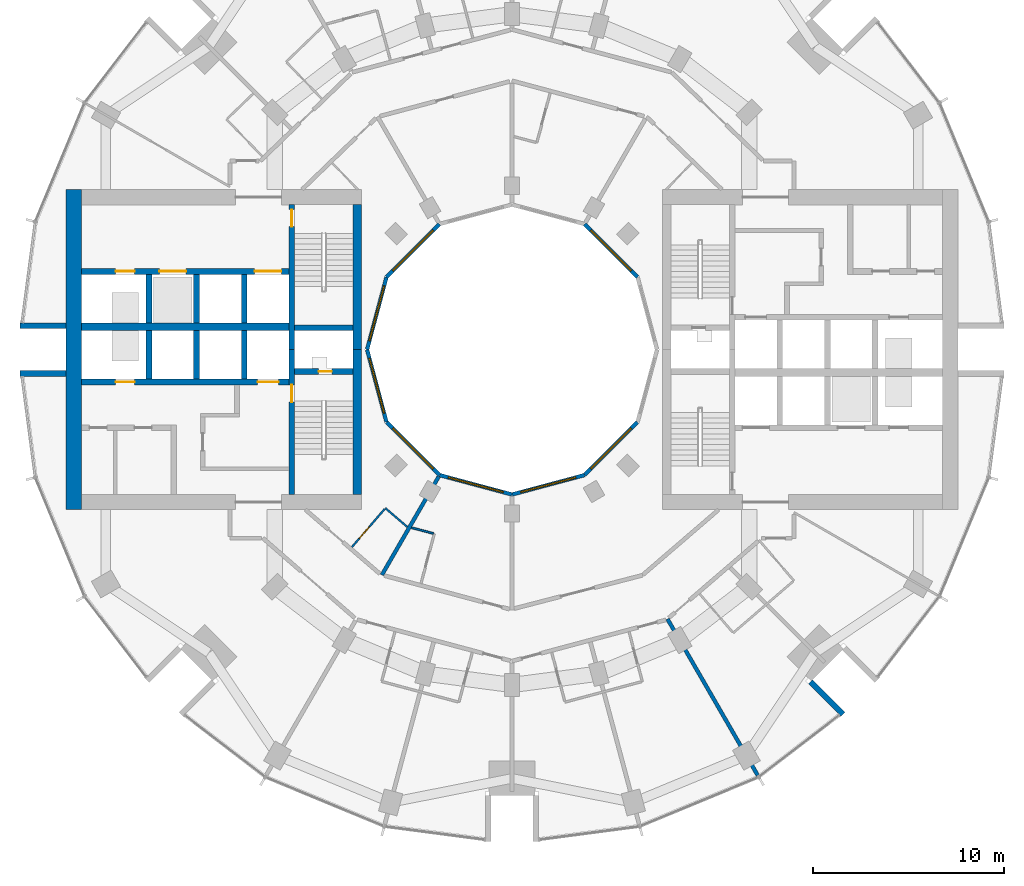
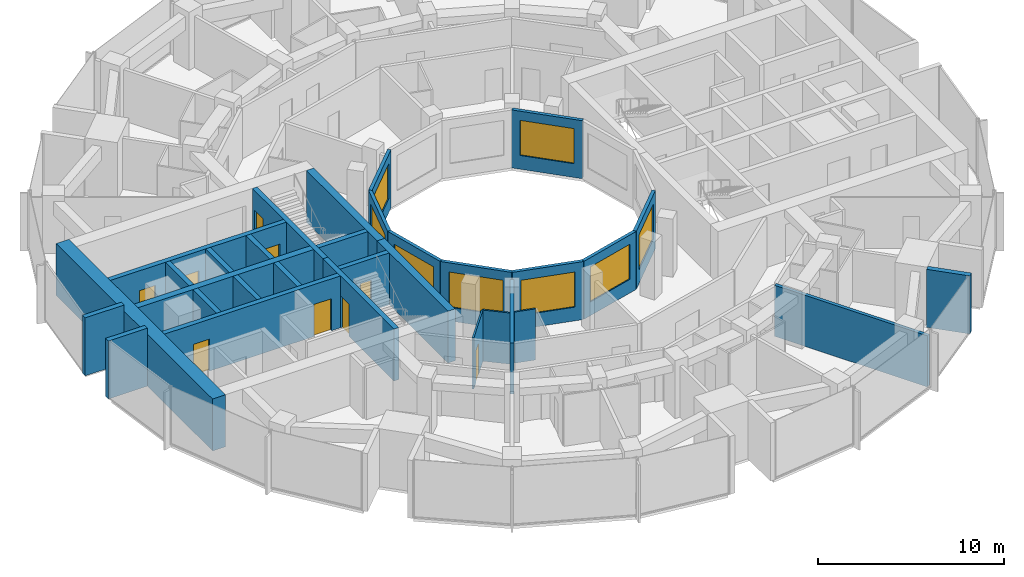
# One storey, part 9 of 15: 32 walls, 9 doors, 8 windows, 17 openings.
"""IFC4 building model written with IfcOpenShell, lengths in metres."""

from ifc_helpers import new_model, si_unit, direction, frame, frame_2d, origin, place, context, subcontext, project, spatial, rectangle, extrude, material, layer, layer_set, type_object, element, fill, save


model = new_model("IFC4")

# Units and contexts
model_context = context("Model", 3, precision=1e-05, world=origin(), true_north=direction((0.0, 1.0)))
body_context = subcontext(model_context, "Body", "Model", "MODEL_VIEW")
ifc_project = project(units=[si_unit("LENGTHUNIT", "METRE"), si_unit("AREAUNIT", "SQUARE_METRE"), si_unit("VOLUMEUNIT", "CUBIC_METRE"), si_unit("PLANEANGLEUNIT", "RADIAN"), si_unit("MASSUNIT", "GRAM", prefix="KILO")], contexts=[model_context])

# Site, building, storey
site_placement = place(None, origin())
site = spatial("IfcSite", under=ifc_project, at=site_placement, CompositionType="ELEMENT")
building_placement = place(site_placement, origin())
building = spatial("IfcBuilding", under=site, at=building_placement, Name="Torre Brocal", CompositionType="ELEMENT")
storey_placement = place(building_placement, frame((0.0, 0.0, 70.60009765625)))
storey = spatial("IfcBuildingStorey", under=building, at=storey_placement, Name="L16", CompositionType="ELEMENT", Elevation=70.60009765625)

# Wall, opening, door
ifc_material_1 = material(Name="Concrete C80", Category="concrete")
ifc_layer_1 = layer(ifc_material_1, 0.300048828125)
ifc_layer_set_1 = layer_set([ifc_layer_1], Name="Concrete C80")
wall_type_1 = type_object("IfcWallType", Name="CORE WALL 300 C80 UNDER 400 SLAB", PredefinedType="SHEAR", material=ifc_layer_set_1)
wall_1_placement = place(storey_placement, frame((68.449951171875, 75.0, 0.0), z_axis=(0.0, 0.0, 1.0), x_axis=(0.0, -1.0, 0.0)))
wall_1 = element("IfcWall", 1, at=wall_1_placement, inside=storey, type_object=wall_type_1, Name="Wall CW300-80-S400", PredefinedType="SHEAR", context=body_context, shape_type="SweptSolid", body=[
    extrude(rectangle(XDim=7.60009765625, YDim=0.300048828125, at=frame_2d((3.800048828125, 0.0))), origin(), (0.0, 0.0, 1.0), 3.39990234375),
])
opening_1_placement = place(wall_1_placement, frame((1.85009765625, 0.0, 0.0)))
opening_1 = element("IfcOpeningElement", 2, at=opening_1_placement, cuts=wall_1, Name="Opening W-D02", PredefinedType="OPENING", context=body_context, shape_type="SweptSolid", body=[
    extrude(rectangle(XDim=0.89990234375, YDim=2.10009765625, at=frame_2d((0.449951171875, 1.050048828125))), frame((0.0, 0.159912109375, 0.0), z_axis=(0.0, -1.0, 0.0), x_axis=(1.0, 0.0, 0.0)), (0.0, 0.0, 1.0), 0.320068359375),
])
ifc_material_2 = material(Name="Steel A653", Category="steel")
door_type_1 = type_object("IfcDoorType", Name="STAIR DOOR FD120 900X2100", OperationType="SINGLE_SWING_RIGHT", PredefinedType="DOOR", material=ifc_material_2)
door_1_placement = place(opening_1_placement, origin())
door_1 = element("IfcDoor", 3, at=door_1_placement, inside=storey, type_object=door_type_1, Name="Door W-D02", OperationType="SINGLE_SWING_LEFT", OverallHeight=2.10009765625, OverallWidth=0.89990234375, PredefinedType="DOOR", context=body_context, shape_type="SweptSolid", body=[
    extrude(rectangle(XDim=0.89990234375, YDim=2.10009765625, at=frame_2d((0.449951171875, 1.050048828125))), frame((0.0, 0.02490234375, 0.0), z_axis=(0.0, -1.0, 0.0), x_axis=(1.0, 0.0, 0.0)), (0.0, 0.0, 1.0), 0.050048828125),
])
fill(opening_1, door_1)

wall_2_placement = place(storey_placement, frame((68.449951171875, 82.60009765625, 0.0), z_axis=(0.0, 0.0, 1.0), x_axis=(0.0, -1.0, 0.0)))
wall_2 = element("IfcWall", 4, at=wall_2_placement, inside=storey, type_object=wall_type_1, Name="Wall CW300-80-S400", PredefinedType="SHEAR", context=body_context, shape_type="SweptSolid", body=[
    extrude(rectangle(XDim=7.60009765625, YDim=0.300048828125, at=frame_2d((3.800048828125, 0.0))), origin(), (0.0, 0.0, 1.0), 3.39990234375),
])
opening_2_placement = place(wall_2_placement, frame((0.25, 0.0, 0.0)))
opening_2 = element("IfcOpeningElement", 5, at=opening_2_placement, cuts=wall_2, Name="Opening W-D03", PredefinedType="OPENING", context=body_context, shape_type="SweptSolid", body=[
    extrude(rectangle(XDim=0.89990234375, YDim=2.10009765625, at=frame_2d((0.449951171875, 1.050048828125))), frame((0.0, 0.159912109375, 0.0), z_axis=(0.0, -1.0, 0.0), x_axis=(1.0, 0.0, 0.0)), (0.0, 0.0, 1.0), 0.320068359375),
])
door_2_placement = place(opening_2_placement, origin())
door_2 = element("IfcDoor", 6, at=door_2_placement, inside=storey, type_object=door_type_1, Name="Door W-D03", OperationType="SINGLE_SWING_LEFT", OverallHeight=2.10009765625, OverallWidth=0.89990234375, PredefinedType="DOOR", context=body_context, shape_type="SweptSolid", body=[
    extrude(rectangle(XDim=0.89990234375, YDim=2.10009765625, at=frame_2d((0.449951171875, 1.050048828125))), frame((0.0, 0.02490234375, 0.0), z_axis=(0.0, -1.0, 0.0), x_axis=(1.0, 0.0, 0.0)), (0.0, 0.0, 1.0), 0.050048828125),
])
fill(opening_2, door_2)

wall_3_placement = place(storey_placement, frame((71.64990234375, 73.85009765625, 0.0), z_axis=(0.0, 0.0, 1.0), x_axis=(-1.0, 0.0, 0.0)))
wall_3 = element("IfcWall", 7, at=wall_3_placement, inside=storey, type_object=wall_type_1, Name="Wall CW300-80-S400", PredefinedType="SHEAR", context=body_context, shape_type="SweptSolid", body=[
    extrude(rectangle(XDim=3.0498046875, YDim=0.300048828125, at=frame_2d((1.52490234375, 0.0))), origin(), (0.0, 0.0, 1.0), 3.39990234375),
])
opening_3_placement = place(wall_3_placement, frame((1.10009765625, 0.0, 0.0)))
opening_3 = element("IfcOpeningElement", 8, at=opening_3_placement, cuts=wall_3, Name="Opening W-D01", PredefinedType="OPENING", context=body_context, shape_type="SweptSolid", body=[
    extrude(rectangle(XDim=0.699951171875, YDim=2.0, at=frame_2d((0.35009765625, 1.0))), frame((0.0, 0.159912109375, 0.0), z_axis=(0.0, -1.0, 0.0), x_axis=(1.0, 0.0, 0.0)), (0.0, 0.0, 1.0), 0.320068359375),
])
ifc_material_3 = material(Name="Steel A653", Category="steel")
door_type_2 = type_object("IfcDoorType", Name="RISER DOOR FD120 700X2000", OperationType="SINGLE_SWING_LEFT", PredefinedType="DOOR", material=ifc_material_3)
door_3_placement = place(opening_3_placement, frame((0.699951171875, 0.0, 0.0), z_axis=(0.0, 0.0, 1.0), x_axis=(-1.0, 0.0, 0.0)))
door_3 = element("IfcDoor", 9, at=door_3_placement, inside=storey, type_object=door_type_2, Name="Door W-D01", OperationType="SINGLE_SWING_RIGHT", OverallHeight=2.0, OverallWidth=0.699951171875, PredefinedType="DOOR", context=body_context, shape_type="SweptSolid", body=[
    extrude(rectangle(XDim=0.699951171875, YDim=2.0, at=frame_2d((0.35009765625, 1.0))), frame((0.0, 0.02490234375, 0.0), z_axis=(0.0, -1.0, 0.0), x_axis=(1.0, 0.0, 0.0)), (0.0, 0.0, 1.0), 0.050048828125),
])
fill(opening_3, door_3)

# Wall
wall_4_placement = place(storey_placement, frame((71.64990234375, 76.14990234375, 0.0), z_axis=(0.0, 0.0, 1.0), x_axis=(-1.0, 0.0, 0.0)))
element("IfcWall", 10, at=wall_4_placement, inside=storey, type_object=wall_type_1, Name="Wall CW300-80-S400", PredefinedType="SHEAR", context=body_context, shape_type="SweptSolid", body=[
    extrude(rectangle(XDim=3.0498046875, YDim=0.300048828125, at=frame_2d((1.52490234375, 0.0))), origin(), (0.0, 0.0, 1.0), 3.39990234375),
])

# Wall, openings, doors
wall_5_placement = place(storey_placement, frame((68.300048828125, 73.300048828125, 0.0), z_axis=(0.0, 0.0, 1.0), x_axis=(-1.0, 0.0, 0.0)))
wall_5 = element("IfcWall", 11, at=wall_5_placement, inside=storey, type_object=wall_type_1, Name="Wall CW300-80-S400", PredefinedType="SHEAR", context=body_context, shape_type="SweptSolid", body=[
    extrude(rectangle(XDim=10.900146484375, YDim=0.300048828125, at=frame_2d((5.4501953125, 0.0))), origin(), (0.0, 0.0, 1.0), 3.39990234375),
])
opening_4_placement = place(wall_5_placement, frame((0.550048828125, 0.0, 0.0)))
opening_4 = element("IfcOpeningElement", 12, at=opening_4_placement, cuts=wall_5, Name="Opening LD", PredefinedType="OPENING", context=body_context, shape_type="SweptSolid", body=[
    extrude(rectangle(XDim=1.10009765625, YDim=2.10009765625, at=frame_2d((0.550048828125, 1.050048828125))), frame((0.0, 0.159912109375, 0.0), z_axis=(0.0, -1.0, 0.0), x_axis=(1.0, 0.0, 0.0)), (0.0, 0.0, 1.0), 0.320068359375),
])
opening_5_placement = place(wall_5_placement, frame((8.10009765625, 0.0, 0.0)))
opening_5 = element("IfcOpeningElement", 13, at=opening_5_placement, cuts=wall_5, Name="Opening LD10", PredefinedType="OPENING", context=body_context, shape_type="SweptSolid", body=[
    extrude(rectangle(XDim=1.0, YDim=2.10009765625, at=frame_2d((0.5, 1.050048828125))), frame((0.0, 0.159912109375, 0.0), z_axis=(0.0, -1.0, 0.0), x_axis=(1.0, 0.0, 0.0)), (0.0, 0.0, 1.0), 0.320068359375),
])
ifc_material_4 = material(Name="Stainless steel AISI 316", Category="steel")
door_type_3 = type_object("IfcDoorType", Name="LIFT LANDING DOOR 1000X2100", OperationType="DOUBLE_DOOR_SLIDING", PredefinedType="DOOR", material=ifc_material_4)
door_4_placement = place(opening_5_placement, origin())
door_4 = element("IfcDoor", 14, at=door_4_placement, inside=storey, type_object=door_type_3, Name="Door LD10", OperationType="DOUBLE_DOOR_SLIDING", OverallHeight=2.10009765625, OverallWidth=1.0, PredefinedType="DOOR", context=body_context, shape_type="SweptSolid", body=[
    extrude(rectangle(XDim=1.0, YDim=2.10009765625, at=frame_2d((0.5, 1.050048828125))), frame((0.0, 0.02490234375, 0.0), z_axis=(0.0, -1.0, 0.0), x_axis=(1.0, 0.0, 0.0)), (0.0, 0.0, 1.0), 0.050048828125),
])
fill(opening_5, door_4)
ifc_material_5 = material(Name="Stainless steel AISI 316", Category="steel")
door_type_4 = type_object("IfcDoorType", Name="LIFT LANDING DOOR 1100X2100", OperationType="DOUBLE_DOOR_SLIDING", PredefinedType="DOOR", material=ifc_material_5)
door_5_placement = place(opening_4_placement, origin())
door_5 = element("IfcDoor", 15, at=door_5_placement, inside=storey, type_object=door_type_4, Name="Door LD", OperationType="DOUBLE_DOOR_SLIDING", OverallHeight=2.10009765625, OverallWidth=1.10009765625, PredefinedType="DOOR", context=body_context, shape_type="SweptSolid", body=[
    extrude(rectangle(XDim=1.10009765625, YDim=2.10009765625, at=frame_2d((0.550048828125, 1.050048828125))), frame((0.0, 0.02490234375, 0.0), z_axis=(0.0, -1.0, 0.0), x_axis=(1.0, 0.0, 0.0)), (0.0, 0.0, 1.0), 0.050048828125),
])
fill(opening_4, door_5)

wall_6_placement = place(storey_placement, frame((68.300048828125, 79.10009765625, 0.0), z_axis=(0.0, 0.0, 1.0), x_axis=(-1.0, 0.0, 0.0)))
wall_6 = element("IfcWall", 16, at=wall_6_placement, inside=storey, type_object=wall_type_1, Name="Wall CW300-80-S400", PredefinedType="SHEAR", context=body_context, shape_type="SweptSolid", body=[
    extrude(rectangle(XDim=10.900146484375, YDim=0.300048828125, at=frame_2d((5.4501953125, 0.0))), origin(), (0.0, 0.0, 1.0), 3.39990234375),
])
opening_6_placement = place(wall_6_placement, frame((0.39990234375, 0.0, 0.0)))
opening_6 = element("IfcOpeningElement", 17, at=opening_6_placement, cuts=wall_6, Name="Opening LD14", PredefinedType="OPENING", context=body_context, shape_type="SweptSolid", body=[
    extrude(rectangle(XDim=1.39990234375, YDim=2.10009765625, at=frame_2d((0.699951171875, 1.050048828125))), frame((0.0, 0.159912109375, 0.0), z_axis=(0.0, -1.0, 0.0), x_axis=(1.0, 0.0, 0.0)), (0.0, 0.0, 1.0), 0.320068359375),
])
opening_7_placement = place(wall_6_placement, frame((5.39990234375, 0.0, 0.0)))
opening_7 = element("IfcOpeningElement", 18, at=opening_7_placement, cuts=wall_6, Name="Opening LD14", PredefinedType="OPENING", context=body_context, shape_type="SweptSolid", body=[
    extrude(rectangle(XDim=1.39990234375, YDim=2.10009765625, at=frame_2d((0.699951171875, 1.050048828125))), frame((0.0, 0.159912109375, 0.0), z_axis=(0.0, -1.0, 0.0), x_axis=(1.0, 0.0, 0.0)), (0.0, 0.0, 1.0), 0.320068359375),
])
opening_8_placement = place(wall_6_placement, frame((8.10009765625, 0.0, 0.0)))
opening_8 = element("IfcOpeningElement", 19, at=opening_8_placement, cuts=wall_6, Name="Opening LD10", PredefinedType="OPENING", context=body_context, shape_type="SweptSolid", body=[
    extrude(rectangle(XDim=1.0, YDim=2.10009765625, at=frame_2d((0.5, 1.050048828125))), frame((0.0, 0.159912109375, 0.0), z_axis=(0.0, -1.0, 0.0), x_axis=(1.0, 0.0, 0.0)), (0.0, 0.0, 1.0), 0.320068359375),
])
door_6_placement = place(opening_8_placement, origin())
door_6 = element("IfcDoor", 20, at=door_6_placement, inside=storey, type_object=door_type_3, Name="Door LD10", OperationType="DOUBLE_DOOR_SLIDING", OverallHeight=2.10009765625, OverallWidth=1.0, PredefinedType="DOOR", context=body_context, shape_type="SweptSolid", body=[
    extrude(rectangle(XDim=1.0, YDim=2.10009765625, at=frame_2d((0.5, 1.050048828125))), frame((0.0, 0.02490234375, 0.0), z_axis=(0.0, -1.0, 0.0), x_axis=(1.0, 0.0, 0.0)), (0.0, 0.0, 1.0), 0.050048828125),
])
fill(opening_8, door_6)
ifc_material_6 = material(Name="Stainless steel AISI 316", Category="steel")
door_type_5 = type_object("IfcDoorType", Name="LIFT LANDING DOOR 1400X2100", OperationType="DOUBLE_DOOR_SLIDING", PredefinedType="DOOR", material=ifc_material_6)
door_7_placement = place(opening_6_placement, origin())
door_7 = element("IfcDoor", 21, at=door_7_placement, inside=storey, type_object=door_type_5, Name="Door LD14", OperationType="DOUBLE_DOOR_SLIDING", OverallHeight=2.10009765625, OverallWidth=1.39990234375, PredefinedType="DOOR", context=body_context, shape_type="SweptSolid", body=[
    extrude(rectangle(XDim=1.39990234375, YDim=2.10009765625, at=frame_2d((0.699951171875, 1.050048828125))), frame((0.0, 0.02490234375, 0.0), z_axis=(0.0, -1.0, 0.0), x_axis=(1.0, 0.0, 0.0)), (0.0, 0.0, 1.0), 0.050048828125),
])
fill(opening_6, door_7)
door_8_placement = place(opening_7_placement, origin())
door_8 = element("IfcDoor", 22, at=door_8_placement, inside=storey, type_object=door_type_5, Name="Door LD14", OperationType="DOUBLE_DOOR_SLIDING", OverallHeight=2.10009765625, OverallWidth=1.39990234375, PredefinedType="DOOR", context=body_context, shape_type="SweptSolid", body=[
    extrude(rectangle(XDim=1.39990234375, YDim=2.10009765625, at=frame_2d((0.699951171875, 1.050048828125))), frame((0.0, 0.02490234375, 0.0), z_axis=(0.0, -1.0, 0.0), x_axis=(1.0, 0.0, 0.0)), (0.0, 0.0, 1.0), 0.050048828125),
])
fill(opening_7, door_8)

# Walls
for number, where, z_axis, x_axis, name in (
    (23, (65.949951171875, 76.0, 0.0), (0.0, 0.0, 1.0), (0.0, -1.0, 0.0), "Wall CW300-80-S400"),
    (24, (63.449951171875, 76.0, 0.0), (0.0, 0.0, 1.0), (0.0, -1.0, 0.0), "Wall CW300-80-S400"),
    (25, (60.949951171875, 76.0, 0.0), (0.0, 0.0, 1.0), (0.0, -1.0, 0.0), "Wall CW300-80-S400"),
    (26, (65.949951171875, 78.949951171875, 0.0), (0.0, 0.0, 1.0), (0.0, -1.0, 0.0), "Wall CW300-80-S400"),
    (27, (63.449951171875, 78.949951171875, 0.0), (0.0, 0.0, 1.0), (0.0, -1.0, 0.0), "Wall CW300-80-S400"),
    (28, (60.949951171875, 78.949951171875, 0.0), (0.0, 0.0, 1.0), (0.0, -1.0, 0.0), "Wall CW300-80-S400"),
):
    element("IfcWall", number, at=place(storey_placement, frame(where, z_axis=z_axis, x_axis=x_axis)), inside=storey, type_object=wall_type_1, Name=name, PredefinedType="SHEAR", context=body_context, shape_type="SweptSolid", body=[
        extrude(rectangle(XDim=2.550048828125, YDim=0.300048828125, at=frame_2d((1.27490234375, 0.0))), origin(), (0.0, 0.0, 1.0), 3.39990234375),
    ])
ifc_material_7 = material(Name="Concrete C80", Category="concrete")
ifc_layer_2 = layer(ifc_material_7, 0.39990234375)
ifc_layer_set_2 = layer_set([ifc_layer_2], Name="Concrete C80")
wall_type_2 = type_object("IfcWallType", Name="CORE WALL 400 C80 UNDER 400 SLAB", PredefinedType="SHEAR", material=ifc_layer_set_2)
wall_7_placement = place(storey_placement, frame((68.300048828125, 76.199951171875, 0.0), z_axis=(0.0, 0.0, 1.0), x_axis=(-1.0, 0.0, 0.0)))
element("IfcWall", 29, at=wall_7_placement, inside=storey, type_object=wall_type_2, Name="Wall CW400-80-S400", PredefinedType="SHEAR", context=body_context, shape_type="SweptSolid", body=[
    extrude(rectangle(XDim=10.900146484375, YDim=0.39990234375, at=frame_2d((5.4501953125, 0.0))), origin(), (0.0, 0.0, 1.0), 3.39990234375),
])
ifc_material_8 = material(Name="Concrete C80", Category="concrete")
ifc_layer_3 = layer(ifc_material_8, 0.449951171875)
ifc_layer_set_3 = layer_set([ifc_layer_3], Name="Concrete C80")
wall_type_3 = type_object("IfcWallType", Name="CORE WALL 450 C80 UNDER 400 SLAB", PredefinedType="SHEAR", material=ifc_layer_set_3)
for number, where, z_axis, x_axis, name in (
    (30, (71.875, 75.0, 0.0), (0.0, 0.0, 1.0), (0.0, -1.0, 0.0), "Wall CW450-80-S400"),
    (31, (71.875, 82.60009765625, 0.0), (0.0, 0.0, 1.0), (0.0, -1.0, 0.0), "Wall CW450-80-S400"),
):
    element("IfcWall", number, at=place(storey_placement, frame(where, z_axis=z_axis, x_axis=x_axis)), inside=storey, type_object=wall_type_3, Name=name, PredefinedType="SHEAR", context=body_context, shape_type="SweptSolid", body=[
        extrude(rectangle(XDim=7.60009765625, YDim=0.449951171875, at=frame_2d((3.800048828125, 0.0))), origin(), (0.0, 0.0, 1.0), 3.39990234375),
    ])
ifc_material_9 = material(Name="Concrete C80", Category="concrete")
ifc_layer_4 = layer(ifc_material_9, 0.800048828125)
ifc_layer_set_4 = layer_set([ifc_layer_4], Name="Concrete C80")
wall_type_4 = type_object("IfcWallType", Name="CORE WALL 800 C80 UNDER 400 SLAB", PredefinedType="SHEAR", material=ifc_layer_set_4)
wall_8_placement = place(storey_placement, frame((57.0, 83.39990234375, 0.0), z_axis=(0.0, 0.0, 1.0), x_axis=(0.0, -1.0, 0.0)))
element("IfcWall", 32, at=wall_8_placement, inside=storey, type_object=wall_type_4, Name="Wall CW800-80-S400", PredefinedType="SHEAR", context=body_context, shape_type="SweptSolid", body=[
    extrude(rectangle(XDim=16.7998046875, YDim=0.800048828125, at=frame_2d((8.39990234375, 0.0))), origin(), (0.0, 0.0, 1.0), 3.39990234375),
])
ifc_material_10 = material(Name="Concrete C80", Category="concrete")
ifc_layer_5 = layer(ifc_material_10, 0.300048828125)
ifc_layer_set_5 = layer_set([ifc_layer_5], Name="Concrete C80")
wall_type_5 = type_object("IfcWallType", Name="NOTCH RETURN WALL 300 C80", PredefinedType="NOTDEFINED", material=ifc_layer_set_5)
for number, where, z_axis, x_axis, name in (
    (33, (56.60009765625, 76.25, 0.0), (0.0, 0.0, 1.0), (-1.0, 0.0, 0.0), "NOTCH RETURN WALL"),
    (34, (56.60009765625, 73.75, 0.0), (0.0, 0.0, 1.0), (-1.0, 0.0, 0.0), "NOTCH RETURN WALL"),
    (35, (95.662353515625, 57.56982421875, 0.0), (0.0, 0.0, 1.0), (0.707106781187, -0.707106781187, 0.0), "NOTCH RETURN WALL"),
):
    element("IfcWall", number, at=place(storey_placement, frame(where, z_axis=z_axis, x_axis=x_axis)), inside=storey, type_object=wall_type_5, Name=name, PredefinedType="NOTDEFINED", context=body_context, shape_type="SweptSolid", body=[
        extrude(rectangle(XDim=2.415771484375, YDim=0.300048828125, at=frame_2d((1.2080078125, 0.0))), origin(), (0.0, 0.0, 1.0), 3.7998046875),
    ])

# Wall, opening, door
ifc_material_11 = material(Name="Gypsum board", Category="Gypsum")
ifc_layer_6 = layer(ifc_material_11, 0.10009765625)
ifc_layer_set_6 = layer_set([ifc_layer_6], Name="Gypsum board")
wall_type_6 = type_object("IfcWallType", Name="PARTITION 100", PredefinedType="PARTITIONING", material=ifc_layer_set_6)
wall_9_placement = place(storey_placement, frame((71.59619140625, 64.634765625, 0.0), z_axis=(0.0, 0.0, 1.0), x_axis=(0.652285007511, 0.757973791748, 0.0)))
wall_9 = element("IfcWall", 36, at=wall_9_placement, inside=storey, type_object=wall_type_6, Name="BATHROOM WALL", PredefinedType="PARTITIONING", context=body_context, shape_type="SweptSolid", body=[
    extrude(rectangle(XDim=2.649658203125, YDim=0.10009765625, at=frame_2d((1.32470703125, 0.0))), origin(), (0.0, 0.0, 1.0), 3.349853515625),
])
opening_9_placement = place(wall_9_placement, frame((0.599609375, 0.0, 0.0)))
opening_9 = element("IfcOpeningElement", 37, at=opening_9_placement, cuts=wall_9, Name="Opening H04-D38", PredefinedType="OPENING", context=body_context, shape_type="SweptSolid", body=[
    extrude(rectangle(XDim=0.800048828125, YDim=2.10009765625, at=frame_2d((0.39990234375, 1.050048828125))), frame((0.0, 0.06005859375, 0.0), z_axis=(0.0, -1.0, 0.0), x_axis=(1.0, 0.0, 0.0)), (0.0, 0.0, 1.0), 0.1201171875),
])
ifc_material_12 = material(Name="Timber", Category="wood")
door_type_6 = type_object("IfcDoorType", Name="BATHROOM DOOR 800X2100", OperationType="SINGLE_SWING_LEFT", PredefinedType="DOOR", material=ifc_material_12)
door_9_placement = place(opening_9_placement, frame((0.800048828125, 0.0, 0.0), z_axis=(0.0, 0.0, 1.0), x_axis=(-1.0, 0.0, 0.0)))
door_9 = element("IfcDoor", 38, at=door_9_placement, inside=storey, type_object=door_type_6, Name="H04-D38", OperationType="SINGLE_SWING_RIGHT", OverallHeight=2.10009765625, OverallWidth=0.800048828125, PredefinedType="DOOR", context=body_context, shape_type="SweptSolid", body=[
    extrude(rectangle(XDim=0.800048828125, YDim=2.10009765625, at=frame_2d((0.39990234375, 1.050048828125))), frame((0.0, 0.02490234375, 0.0), z_axis=(0.0, -1.0, 0.0), x_axis=(1.0, 0.0, 0.0)), (0.0, 0.0, 1.0), 0.050048828125),
])
fill(opening_9, door_9)

# Walls
wall_10_placement = place(storey_placement, frame((73.35693359375, 66.680908203125, 0.0), z_axis=(0.0, 0.0, 1.0), x_axis=(0.758263469747, -0.651948242154, 0.0)))
element("IfcWall", 39, at=wall_10_placement, inside=storey, type_object=wall_type_6, Name="BATHROOM WALL", PredefinedType="PARTITIONING", context=body_context, shape_type="SweptSolid", body=[
    extrude(rectangle(XDim=1.510986328125, YDim=0.10009765625, at=frame_2d((0.75537109375, 0.0))), origin(), (0.0, 0.0, 1.0), 3.349853515625),
])
wall_11_placement = place(storey_placement, frame((74.739013671875, 65.655029296875, 0.0), z_axis=(0.0, 0.0, 1.0), x_axis=(0.96591107063, -0.258874107695, 0.0)))
element("IfcWall", 40, at=wall_11_placement, inside=storey, type_object=wall_type_6, Name="BATHROOM WALL", PredefinedType="PARTITIONING", context=body_context, shape_type="SweptSolid", body=[
    extrude(rectangle(XDim=1.178955078125, YDim=0.10009765625, at=frame_2d((0.58935546875, 0.0))), origin(), (0.0, 0.0, 1.0), 3.349853515625),
])
ifc_material_13 = material(Name="Gypsum board", Category="Gypsum")
ifc_layer_7 = layer(ifc_material_13, 0.199951171875)
ifc_layer_set_7 = layer_set([ifc_layer_7], Name="Gypsum board")
wall_type_7 = type_object("IfcWallType", Name="PARTITION 200 EI60", PredefinedType="PARTITIONING", material=ifc_layer_set_7)
wall_12_placement = place(storey_placement, frame((73.173583984375, 63.17578125, 0.0), z_axis=(0.0, 0.0, 1.0), x_axis=(0.500257106344, 0.865876912472, 0.0)))
element("IfcWall", 41, at=wall_12_placement, inside=storey, type_object=wall_type_7, Name="BATHROOM WALL", PredefinedType="PARTITIONING", context=body_context, shape_type="SweptSolid", body=[
    extrude(rectangle(XDim=5.954833984375, YDim=0.199951171875, at=frame_2d((2.9775390625, 0.0))), origin(), (0.0, 0.0, 1.0), 3.349853515625),
])
wall_13_placement = place(storey_placement, frame((88.1591796875, 60.86279296875, 0.0), z_axis=(0.0, 0.0, 1.0), x_axis=(0.499935840196, -0.866062443296, 0.0)))
element("IfcWall", 42, at=wall_13_placement, inside=storey, type_object=wall_type_7, Name="PARTY PARTITION", PredefinedType="PARTITIONING", context=body_context, shape_type="SweptSolid", body=[
    extrude(rectangle(XDim=9.474853515625, YDim=0.199951171875, at=frame_2d((4.7373046875, 0.0))), origin(), (0.0, 0.0, 1.0), 3.349853515625),
])

# Wall, opening, window
ifc_material_14 = material(Name="Concrete C40", Category="concrete")
ifc_layer_8 = layer(ifc_material_14, 0.199951171875)
ifc_layer_set_8 = layer_set([ifc_layer_8], Name="Concrete C40")
wall_type_8 = type_object("IfcWallType", Name="WELL FACADE WALL 200", PredefinedType="NOTDEFINED", material=ifc_layer_set_8)
wall_14_placement = place(storey_placement, frame((86.5849609375, 78.8017578125, 0.0), z_axis=(0.0, 0.0, 1.0), x_axis=(-0.707106781187, 0.707106781187, 0.0)))
wall_14 = element("IfcWall", 43, at=wall_14_placement, inside=storey, type_object=wall_type_8, Name="WELL FACADE WALL", PredefinedType="NOTDEFINED", context=body_context, shape_type="SweptSolid", body=[
    extrude(rectangle(XDim=3.93603515625, YDim=0.199951171875, at=frame_2d((1.968017578125, 0.0))), origin(), (0.0, 0.0, 1.0), 3.7998046875),
])
opening_10_placement = place(wall_14_placement, frame((0.468017578125, 0.0, 0.89990234375)))
opening_10 = element("IfcOpeningElement", 44, at=opening_10_placement, cuts=wall_14, Name="Opening W1", PredefinedType="OPENING", context=body_context, shape_type="SweptSolid", body=[
    extrude(rectangle(XDim=3.0, YDim=2.300048828125, at=frame_2d((1.5, 1.14990234375))), frame((0.0, 0.10986328125, 0.0), z_axis=(0.0, -1.0, 0.0), x_axis=(1.0, 0.0, 0.0)), (0.0, 0.0, 1.0), 0.219970703125),
])
ifc_material_15 = material(Name="Aluminium and glass", Category="aluminium")
window_type = type_object("IfcWindowType", Name="WELL WINDOW 3000X2300", PartitioningType="SINGLE_PANEL", PredefinedType="WINDOW", material=ifc_material_15)
window_1_placement = place(opening_10_placement, origin())
window_1 = element("IfcWindow", 45, at=window_1_placement, inside=storey, type_object=window_type, Name="WELL WINDOW 3000X2300", OverallHeight=2.300048828125, OverallWidth=3.0, PartitioningType="SINGLE_PANEL", PredefinedType="WINDOW", context=body_context, shape_type="SweptSolid", body=[
    extrude(rectangle(XDim=3.0, YDim=2.300048828125, at=frame_2d((1.5, 1.14990234375))), frame((0.0, 0.030029296875, 0.0), z_axis=(0.0, -1.0, 0.0), x_axis=(1.0, 0.0, 0.0)), (0.0, 0.0, 1.0), 0.06005859375),
])
fill(opening_10, window_1)

wall_15_placement = place(storey_placement, frame((76.1982421875, 81.5849609375, 0.0), z_axis=(0.0, 0.0, 1.0), x_axis=(-0.707106781187, -0.707106781187, 0.0)))
wall_15 = element("IfcWall", 46, at=wall_15_placement, inside=storey, type_object=wall_type_8, Name="WELL FACADE WALL", PredefinedType="NOTDEFINED", context=body_context, shape_type="SweptSolid", body=[
    extrude(rectangle(XDim=3.93603515625, YDim=0.199951171875, at=frame_2d((1.968017578125, 0.0))), origin(), (0.0, 0.0, 1.0), 3.7998046875),
])
opening_11_placement = place(wall_15_placement, frame((0.468017578125, 0.0, 0.89990234375)))
opening_11 = element("IfcOpeningElement", 47, at=opening_11_placement, cuts=wall_15, Name="Opening W1", PredefinedType="OPENING", context=body_context, shape_type="SweptSolid", body=[
    extrude(rectangle(XDim=3.0, YDim=2.300048828125, at=frame_2d((1.5, 1.14990234375))), frame((0.0, 0.10986328125, 0.0), z_axis=(0.0, -1.0, 0.0), x_axis=(1.0, 0.0, 0.0)), (0.0, 0.0, 1.0), 0.219970703125),
])
window_2_placement = place(opening_11_placement, origin())
window_2 = element("IfcWindow", 48, at=window_2_placement, inside=storey, type_object=window_type, Name="WELL WINDOW 3000X2300", OverallHeight=2.300048828125, OverallWidth=3.0, PartitioningType="SINGLE_PANEL", PredefinedType="WINDOW", context=body_context, shape_type="SweptSolid", body=[
    extrude(rectangle(XDim=3.0, YDim=2.300048828125, at=frame_2d((1.5, 1.14990234375))), frame((0.0, 0.030029296875, 0.0), z_axis=(0.0, -1.0, 0.0), x_axis=(1.0, 0.0, 0.0)), (0.0, 0.0, 1.0), 0.06005859375),
])
fill(opening_11, window_2)

wall_16_placement = place(storey_placement, frame((73.4150390625, 78.8017578125, 0.0), z_axis=(0.0, 0.0, 1.0), x_axis=(-0.258789828301, -0.965933654434, 0.0)))
wall_16 = element("IfcWall", 49, at=wall_16_placement, inside=storey, type_object=wall_type_8, Name="WELL FACADE WALL", PredefinedType="NOTDEFINED", context=body_context, shape_type="SweptSolid", body=[
    extrude(rectangle(XDim=3.935791015625, YDim=0.199951171875, at=frame_2d((1.9677734375, 0.0))), origin(), (0.0, 0.0, 1.0), 3.7998046875),
])
opening_12_placement = place(wall_16_placement, frame((0.468017578125, 0.0, 0.89990234375)))
opening_12 = element("IfcOpeningElement", 50, at=opening_12_placement, cuts=wall_16, Name="Opening W1", PredefinedType="OPENING", context=body_context, shape_type="SweptSolid", body=[
    extrude(rectangle(XDim=3.0, YDim=2.300048828125, at=frame_2d((1.5, 1.14990234375))), frame((0.0, 0.10986328125, 0.0), z_axis=(0.0, -1.0, 0.0), x_axis=(1.0, 0.0, 0.0)), (0.0, 0.0, 1.0), 0.219970703125),
])
window_3_placement = place(opening_12_placement, origin())
window_3 = element("IfcWindow", 51, at=window_3_placement, inside=storey, type_object=window_type, Name="WELL WINDOW 3000X2300", OverallHeight=2.300048828125, OverallWidth=3.0, PartitioningType="SINGLE_PANEL", PredefinedType="WINDOW", context=body_context, shape_type="SweptSolid", body=[
    extrude(rectangle(XDim=3.0, YDim=2.300048828125, at=frame_2d((1.5, 1.14990234375))), frame((0.0, 0.030029296875, 0.0), z_axis=(0.0, -1.0, 0.0), x_axis=(1.0, 0.0, 0.0)), (0.0, 0.0, 1.0), 0.06005859375),
])
fill(opening_12, window_3)

wall_17_placement = place(storey_placement, frame((72.396484375, 75.0, 0.0), z_axis=(0.0, 0.0, 1.0), x_axis=(0.258789828301, -0.965933654434, 0.0)))
wall_17 = element("IfcWall", 52, at=wall_17_placement, inside=storey, type_object=wall_type_8, Name="WELL FACADE WALL", PredefinedType="NOTDEFINED", context=body_context, shape_type="SweptSolid", body=[
    extrude(rectangle(XDim=3.935791015625, YDim=0.199951171875, at=frame_2d((1.9677734375, 0.0))), origin(), (0.0, 0.0, 1.0), 3.7998046875),
])
opening_13_placement = place(wall_17_placement, frame((0.468017578125, 0.0, 0.89990234375)))
opening_13 = element("IfcOpeningElement", 53, at=opening_13_placement, cuts=wall_17, Name="Opening W1", PredefinedType="OPENING", context=body_context, shape_type="SweptSolid", body=[
    extrude(rectangle(XDim=3.0, YDim=2.300048828125, at=frame_2d((1.5, 1.14990234375))), frame((0.0, 0.10986328125, 0.0), z_axis=(0.0, -1.0, 0.0), x_axis=(1.0, 0.0, 0.0)), (0.0, 0.0, 1.0), 0.219970703125),
])
window_4_placement = place(opening_13_placement, origin())
window_4 = element("IfcWindow", 54, at=window_4_placement, inside=storey, type_object=window_type, Name="WELL WINDOW 3000X2300", OverallHeight=2.300048828125, OverallWidth=3.0, PartitioningType="SINGLE_PANEL", PredefinedType="WINDOW", context=body_context, shape_type="SweptSolid", body=[
    extrude(rectangle(XDim=3.0, YDim=2.300048828125, at=frame_2d((1.5, 1.14990234375))), frame((0.0, 0.030029296875, 0.0), z_axis=(0.0, -1.0, 0.0), x_axis=(1.0, 0.0, 0.0)), (0.0, 0.0, 1.0), 0.06005859375),
])
fill(opening_13, window_4)

wall_18_placement = place(storey_placement, frame((73.4150390625, 71.1982421875, 0.0), z_axis=(0.0, 0.0, 1.0), x_axis=(0.707106781187, -0.707106781187, 0.0)))
wall_18 = element("IfcWall", 55, at=wall_18_placement, inside=storey, type_object=wall_type_8, Name="WELL FACADE WALL", PredefinedType="NOTDEFINED", context=body_context, shape_type="SweptSolid", body=[
    extrude(rectangle(XDim=3.93603515625, YDim=0.199951171875, at=frame_2d((1.968017578125, 0.0))), origin(), (0.0, 0.0, 1.0), 3.7998046875),
])
opening_14_placement = place(wall_18_placement, frame((0.468017578125, 0.0, 0.89990234375)))
opening_14 = element("IfcOpeningElement", 56, at=opening_14_placement, cuts=wall_18, Name="Opening W1", PredefinedType="OPENING", context=body_context, shape_type="SweptSolid", body=[
    extrude(rectangle(XDim=3.0, YDim=2.300048828125, at=frame_2d((1.5, 1.14990234375))), frame((0.0, 0.10986328125, 0.0), z_axis=(0.0, -1.0, 0.0), x_axis=(1.0, 0.0, 0.0)), (0.0, 0.0, 1.0), 0.219970703125),
])
window_5_placement = place(opening_14_placement, origin())
window_5 = element("IfcWindow", 57, at=window_5_placement, inside=storey, type_object=window_type, Name="WELL WINDOW 3000X2300", OverallHeight=2.300048828125, OverallWidth=3.0, PartitioningType="SINGLE_PANEL", PredefinedType="WINDOW", context=body_context, shape_type="SweptSolid", body=[
    extrude(rectangle(XDim=3.0, YDim=2.300048828125, at=frame_2d((1.5, 1.14990234375))), frame((0.0, 0.030029296875, 0.0), z_axis=(0.0, -1.0, 0.0), x_axis=(1.0, 0.0, 0.0)), (0.0, 0.0, 1.0), 0.06005859375),
])
fill(opening_14, window_5)

wall_19_placement = place(storey_placement, frame((76.1982421875, 68.4150390625, 0.0), z_axis=(0.0, 0.0, 1.0), x_axis=(0.965933654434, -0.258789828301, 0.0)))
wall_19 = element("IfcWall", 58, at=wall_19_placement, inside=storey, type_object=wall_type_8, Name="WELL FACADE WALL", PredefinedType="NOTDEFINED", context=body_context, shape_type="SweptSolid", body=[
    extrude(rectangle(XDim=3.935791015625, YDim=0.199951171875, at=frame_2d((1.9677734375, 0.0))), origin(), (0.0, 0.0, 1.0), 3.7998046875),
])
opening_15_placement = place(wall_19_placement, frame((0.468017578125, 0.0, 0.89990234375)))
opening_15 = element("IfcOpeningElement", 59, at=opening_15_placement, cuts=wall_19, Name="Opening W1", PredefinedType="OPENING", context=body_context, shape_type="SweptSolid", body=[
    extrude(rectangle(XDim=3.0, YDim=2.300048828125, at=frame_2d((1.5, 1.14990234375))), frame((0.0, 0.10986328125, 0.0), z_axis=(0.0, -1.0, 0.0), x_axis=(1.0, 0.0, 0.0)), (0.0, 0.0, 1.0), 0.219970703125),
])
window_6_placement = place(opening_15_placement, origin())
window_6 = element("IfcWindow", 60, at=window_6_placement, inside=storey, type_object=window_type, Name="WELL WINDOW 3000X2300", OverallHeight=2.300048828125, OverallWidth=3.0, PartitioningType="SINGLE_PANEL", PredefinedType="WINDOW", context=body_context, shape_type="SweptSolid", body=[
    extrude(rectangle(XDim=3.0, YDim=2.300048828125, at=frame_2d((1.5, 1.14990234375))), frame((0.0, 0.030029296875, 0.0), z_axis=(0.0, -1.0, 0.0), x_axis=(1.0, 0.0, 0.0)), (0.0, 0.0, 1.0), 0.06005859375),
])
fill(opening_15, window_6)

wall_20_placement = place(storey_placement, frame((80.0, 67.396484375, 0.0), z_axis=(0.0, 0.0, 1.0), x_axis=(0.965933654434, 0.258789828301, 0.0)))
wall_20 = element("IfcWall", 61, at=wall_20_placement, inside=storey, type_object=wall_type_8, Name="WELL FACADE WALL", PredefinedType="NOTDEFINED", context=body_context, shape_type="SweptSolid", body=[
    extrude(rectangle(XDim=3.935791015625, YDim=0.199951171875, at=frame_2d((1.9677734375, 0.0))), origin(), (0.0, 0.0, 1.0), 3.7998046875),
])
opening_16_placement = place(wall_20_placement, frame((0.468017578125, 0.0, 0.89990234375)))
opening_16 = element("IfcOpeningElement", 62, at=opening_16_placement, cuts=wall_20, Name="Opening W1", PredefinedType="OPENING", context=body_context, shape_type="SweptSolid", body=[
    extrude(rectangle(XDim=3.0, YDim=2.300048828125, at=frame_2d((1.5, 1.14990234375))), frame((0.0, 0.10986328125, 0.0), z_axis=(0.0, -1.0, 0.0), x_axis=(1.0, 0.0, 0.0)), (0.0, 0.0, 1.0), 0.219970703125),
])
window_7_placement = place(opening_16_placement, origin())
window_7 = element("IfcWindow", 63, at=window_7_placement, inside=storey, type_object=window_type, Name="WELL WINDOW 3000X2300", OverallHeight=2.300048828125, OverallWidth=3.0, PartitioningType="SINGLE_PANEL", PredefinedType="WINDOW", context=body_context, shape_type="SweptSolid", body=[
    extrude(rectangle(XDim=3.0, YDim=2.300048828125, at=frame_2d((1.5, 1.14990234375))), frame((0.0, 0.030029296875, 0.0), z_axis=(0.0, -1.0, 0.0), x_axis=(1.0, 0.0, 0.0)), (0.0, 0.0, 1.0), 0.06005859375),
])
fill(opening_16, window_7)

wall_21_placement = place(storey_placement, frame((83.8017578125, 68.4150390625, 0.0), z_axis=(0.0, 0.0, 1.0), x_axis=(0.707106781187, 0.707106781187, 0.0)))
wall_21 = element("IfcWall", 64, at=wall_21_placement, inside=storey, type_object=wall_type_8, Name="WELL FACADE WALL", PredefinedType="NOTDEFINED", context=body_context, shape_type="SweptSolid", body=[
    extrude(rectangle(XDim=3.93603515625, YDim=0.199951171875, at=frame_2d((1.968017578125, 0.0))), origin(), (0.0, 0.0, 1.0), 3.7998046875),
])
opening_17_placement = place(wall_21_placement, frame((0.468017578125, 0.0, 0.89990234375)))
opening_17 = element("IfcOpeningElement", 65, at=opening_17_placement, cuts=wall_21, Name="Opening W1", PredefinedType="OPENING", context=body_context, shape_type="SweptSolid", body=[
    extrude(rectangle(XDim=3.0, YDim=2.300048828125, at=frame_2d((1.5, 1.14990234375))), frame((0.0, 0.10986328125, 0.0), z_axis=(0.0, -1.0, 0.0), x_axis=(1.0, 0.0, 0.0)), (0.0, 0.0, 1.0), 0.219970703125),
])
window_8_placement = place(opening_17_placement, origin())
window_8 = element("IfcWindow", 66, at=window_8_placement, inside=storey, type_object=window_type, Name="WELL WINDOW 3000X2300", OverallHeight=2.300048828125, OverallWidth=3.0, PartitioningType="SINGLE_PANEL", PredefinedType="WINDOW", context=body_context, shape_type="SweptSolid", body=[
    extrude(rectangle(XDim=3.0, YDim=2.300048828125, at=frame_2d((1.5, 1.14990234375))), frame((0.0, 0.030029296875, 0.0), z_axis=(0.0, -1.0, 0.0), x_axis=(1.0, 0.0, 0.0)), (0.0, 0.0, 1.0), 0.06005859375),
])
fill(opening_17, window_8)

save(model, "model.ifc")
